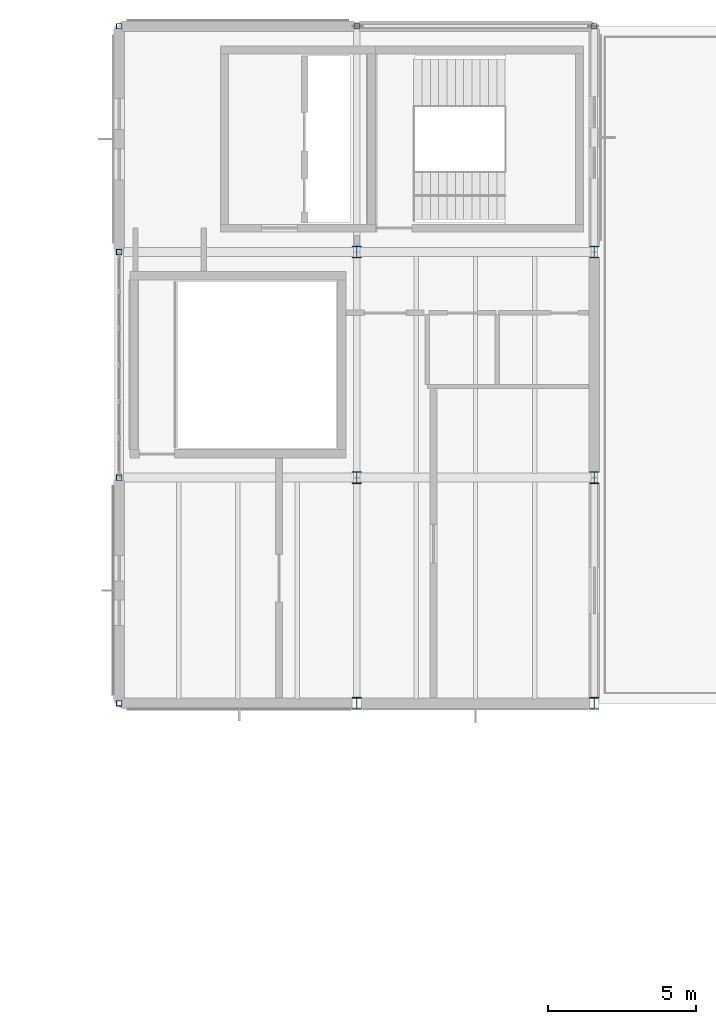
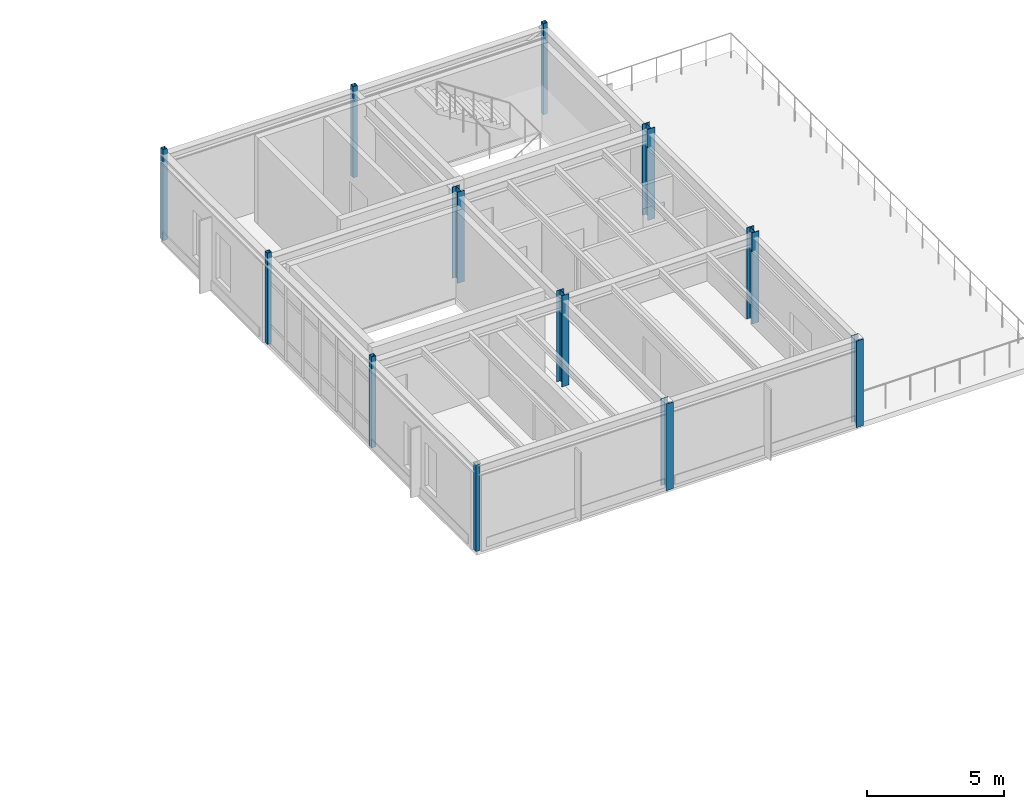
# One storey, part 12 of 65: 12 columns.
"""IFC4 building model written with IfcOpenShell, lengths in metres."""

from ifc_helpers import new_model, si_unit, direction, frame, origin, origin_2d, place, context, subcontext, project, spatial, hollow_rectangle, i_section, extrude, material, material_profile, profile_set, type_object, element, save


model = new_model("IFC4")

# Units and contexts
model_context = context("Model", 3, precision=1e-05, world=origin(), true_north=direction((0.0, 1.0)))
body_context = subcontext(model_context, "Body", "Model", "MODEL_VIEW")
ifc_project = project(units=[si_unit("LENGTHUNIT", "METRE"), si_unit("AREAUNIT", "SQUARE_METRE"), si_unit("VOLUMEUNIT", "CUBIC_METRE"), si_unit("PLANEANGLEUNIT", "RADIAN"), si_unit("MASSUNIT", "GRAM", prefix="KILO")], contexts=[model_context])

# Site, building, storey
site_placement = place(None, origin())
site = spatial("IfcSite", under=ifc_project, at=site_placement, CompositionType="ELEMENT")
building_placement = place(site_placement, origin())
building = spatial("IfcBuilding", under=site, at=building_placement, Name="Montecoro Central Library", CompositionType="ELEMENT")
storey_placement = place(building_placement, frame((0.0, 0.0, 17.340087890625)))
storey = spatial("IfcBuildingStorey", under=building, at=storey_placement, Name="L04", CompositionType="ELEMENT", Elevation=17.340087890625)

# Columns
ifc_material = material(Name="Steel S355", Category="steel")
ifc_material_profile_1 = material_profile(ifc_material, i_section(OverallWidth=0.300048828125, OverallDepth=0.39990234375, WebThickness=0.013427734375, FlangeThickness=0.02392578125, at=origin_2d()), Name="HEB 400")
ifc_profile_set_1 = profile_set([ifc_material_profile_1], Name="Steel S355")
column_type_1 = type_object("IfcColumnType", Name="COL-HEB400", PredefinedType="COLUMN", material=ifc_profile_set_1)
column_1_placement = place(storey_placement, frame((149.0, 96.199951171875, 0.0), z_axis=(0.0, 0.0, 1.0), x_axis=(1.0, 0.0, 0.0)))
element("IfcColumn", 1, at=column_1_placement, inside=storey, type_object=column_type_1, Name="V5-L04-COL-19-N", PredefinedType="COLUMN", context=body_context, shape_type="SweptSolid", body=[
    extrude(i_section(OverallWidth=0.300048828125, OverallDepth=0.39990234375, WebThickness=0.013427734375, FlangeThickness=0.02392578125, at=origin_2d()), origin(), (0.0, 0.0, 1.0), 3.849853515625),
])
for number, where, z_axis, x_axis, name in (
    (2, (149.0, 103.800048828125, 0.0), (0.0, 0.0, 1.0), (1.0, 0.0, 0.0), "V5-L04-COL-19-P"),
    (3, (149.0, 111.39990234375, 0.0), (0.0, 0.0, 1.0), (1.0, 0.0, 0.0), "V5-L04-COL-19-Q"),
):
    element("IfcColumn", number, at=place(storey_placement, frame(where, z_axis=z_axis, x_axis=x_axis)), inside=storey, type_object=column_type_1, Name=name, PredefinedType="COLUMN", context=body_context, shape_type="SweptSolid", body=[
        extrude(i_section(OverallWidth=0.300048828125, OverallDepth=0.39990234375, WebThickness=0.013427734375, FlangeThickness=0.02392578125, at=origin_2d()), origin(), (0.0, 0.0, 1.0), 4.054931640625),
    ])
column_2_placement = place(storey_placement, frame((157.0, 96.199951171875, 0.0), z_axis=(0.0, 0.0, 1.0), x_axis=(1.0, 0.0, 0.0)))
element("IfcColumn", 4, at=column_2_placement, inside=storey, type_object=column_type_1, Name="V5-L04-COL-20-N", PredefinedType="COLUMN", context=body_context, shape_type="SweptSolid", body=[
    extrude(i_section(OverallWidth=0.300048828125, OverallDepth=0.39990234375, WebThickness=0.013427734375, FlangeThickness=0.02392578125, at=origin_2d()), origin(), (0.0, 0.0, 1.0), 3.849853515625),
])
for number, where, z_axis, x_axis, name in (
    (5, (157.0, 103.800048828125, 0.0), (0.0, 0.0, 1.0), (1.0, 0.0, 0.0), "V5-L04-COL-20-P"),
    (6, (157.0, 111.39990234375, 0.0), (0.0, 0.0, 1.0), (1.0, 0.0, 0.0), "V5-L04-COL-20-Q"),
):
    element("IfcColumn", number, at=place(storey_placement, frame(where, z_axis=z_axis, x_axis=x_axis)), inside=storey, type_object=column_type_1, Name=name, PredefinedType="COLUMN", context=body_context, shape_type="SweptSolid", body=[
        extrude(i_section(OverallWidth=0.300048828125, OverallDepth=0.39990234375, WebThickness=0.013427734375, FlangeThickness=0.02392578125, at=origin_2d()), origin(), (0.0, 0.0, 1.0), 4.054931640625),
    ])
ifc_material_profile_2 = material_profile(ifc_material, hollow_rectangle(XDim=0.179931640625, YDim=0.179931640625, WallThickness=0.010009765625, at=origin_2d()), Name="SHS 180x180x10.0")
ifc_profile_set_2 = profile_set([ifc_material_profile_2], Name="Steel S355")
column_type_2 = type_object("IfcColumnType", Name="COL-SHS180", PredefinedType="COLUMN", material=ifc_profile_set_2)
column_3_placement = place(storey_placement, frame((141.0, 96.199951171875, 0.0), z_axis=(0.0, 0.0, 1.0), x_axis=(1.0, 0.0, 0.0)))
element("IfcColumn", 7, at=column_3_placement, inside=storey, type_object=column_type_2, Name="V5-L04-COL-18-N", PredefinedType="COLUMN", context=body_context, shape_type="SweptSolid", body=[
    extrude(hollow_rectangle(XDim=0.179931640625, YDim=0.179931640625, WallThickness=0.010009765625, at=origin_2d()), origin(), (0.0, 0.0, 1.0), 3.849853515625),
])
for number, where, z_axis, x_axis, name in (
    (8, (141.0, 103.800048828125, 0.0), (0.0, 0.0, 1.0), (1.0, 0.0, 0.0), "V5-L04-COL-18-P"),
    (9, (141.0, 111.39990234375, 0.0), (0.0, 0.0, 1.0), (1.0, 0.0, 0.0), "V5-L04-COL-18-Q"),
    (10, (141.0, 119.0, 0.0), (0.0, 0.0, 1.0), (1.0, 0.0, 0.0), "V5-L04-COL-18-R"),
    (11, (149.0, 119.0, 0.0), (0.0, 0.0, 1.0), (1.0, 0.0, 0.0), "V5-L04-COL-19-R"),
    (12, (157.0, 119.0, 0.0), (0.0, 0.0, 1.0), (1.0, 0.0, 0.0), "V5-L04-COL-20-R"),
):
    element("IfcColumn", number, at=place(storey_placement, frame(where, z_axis=z_axis, x_axis=x_axis)), inside=storey, type_object=column_type_2, Name=name, PredefinedType="COLUMN", context=body_context, shape_type="SweptSolid", body=[
        extrude(hollow_rectangle(XDim=0.179931640625, YDim=0.179931640625, WallThickness=0.010009765625, at=origin_2d()), origin(), (0.0, 0.0, 1.0), 4.054931640625),
    ])

save(model, "model.ifc")
